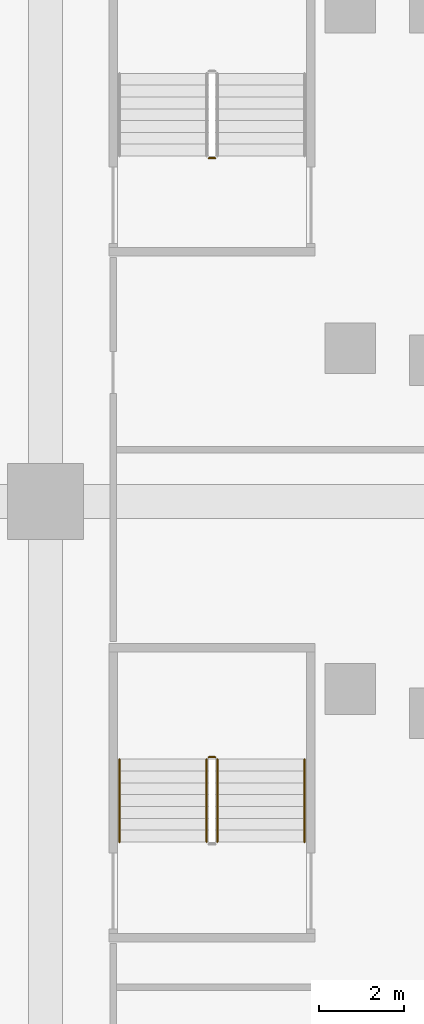
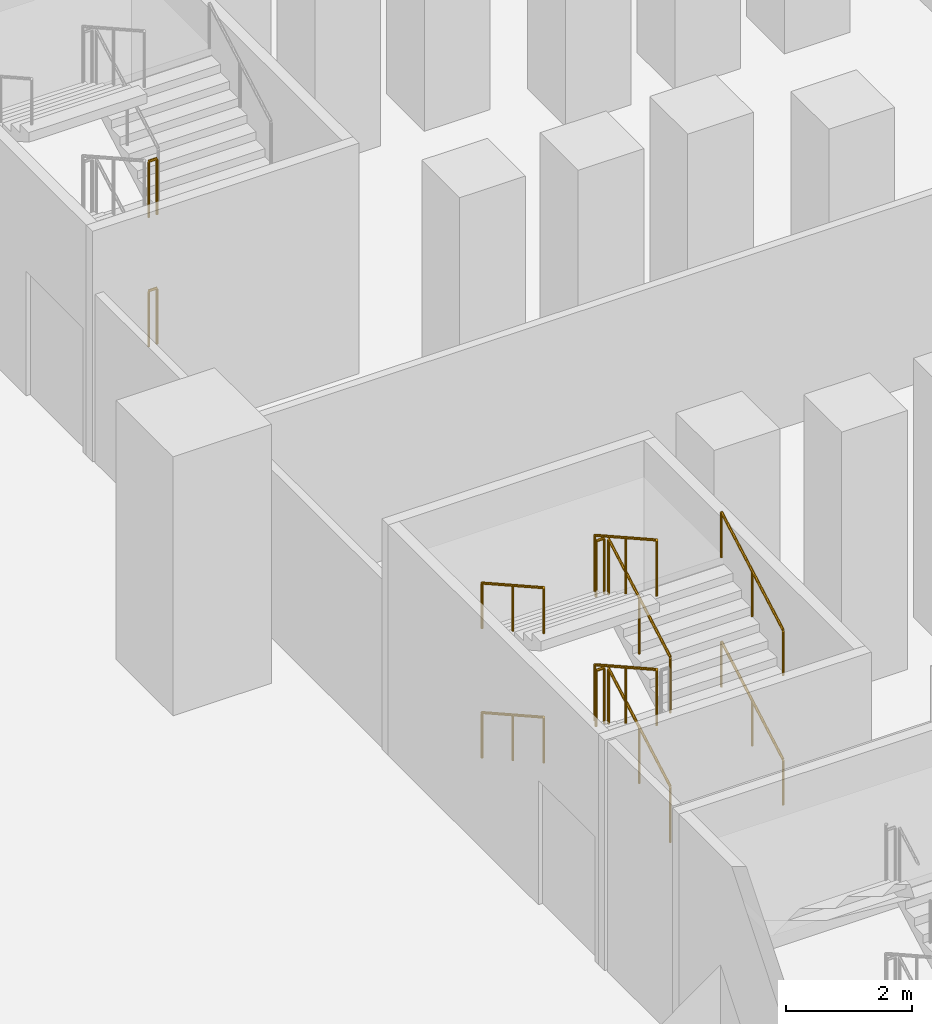
# One storey, part 22 of 24: 12 railings.
"""IFC4 building model written with IfcOpenShell, lengths in metres."""

import ifcopenshell
import ifcopenshell.guid

model = None  # the IFC model being written
_history = None  # IfcOwnerHistory: only IFC2X3 demands one
_inside = {}  # id of a spatial element -> (the spatial element, [elements in it])
_under = {}  # id of a project, library or spatial element -> (it, [spatial elements below it])
_declared = {}  # id of a project -> (the project, [libraries it declares])
_typed = {}  # id of a type object -> (the type object, [elements of that type])
_made_of = {}  # id of a material, layer set ... -> (it, [elements and type objects made of it])


def new_model(schema):
    """Start an empty IFC model of exactly this schema.

    Asked for "IFC4X3", IfcOpenShell would pick the latest addendum, in which some entities
    have other attributes; the version numbers below select the first issue.
    IFC2X3 requires an IfcOwnerHistory on every rooted entity: one is made here for all.
    """
    global model, _history
    if schema == "IFC4X3":
        model = ifcopenshell.file(schema_version=(4, 3, 0, 0))
    else:
        model = ifcopenshell.file(schema=schema)
    _inside.clear()
    _under.clear()
    _declared.clear()
    _typed.clear()
    _made_of.clear()
    _history = None
    if model.schema == "IFC2X3":
        org = make("IfcOrganization", Name="unknown")
        user = make(
            "IfcPersonAndOrganization",
            ThePerson=make("IfcPerson", FamilyName="unknown"),
            TheOrganization=org,
        )
        app = make(
            "IfcApplication",
            ApplicationDeveloper=org,
            Version="unknown",
            ApplicationFullName="unknown",
            ApplicationIdentifier="unknown",
        )
        _history = make(
            "IfcOwnerHistory",
            OwningUser=user,
            OwningApplication=app,
            ChangeAction="ADDED",
            CreationDate=0,
        )
    return model


def make(cls, **values):
    """One entity of the class cls with the attributes given. An attribute that is None is left unset."""
    return model.create_entity(
        cls, **{name: value for name, value in values.items() if value is not None}
    )


def rooted(cls, **values):
    """An entity with a GlobalId (a new one), such as an element, a storey or a relation."""
    return make(cls, GlobalId=ifcopenshell.guid.new(), OwnerHistory=_history, **values)


def si_unit(unit_type, name, prefix=None):
    """IfcSIUnit, for example si_unit("LENGTHUNIT", "METRE", prefix="MILLI")."""
    return make("IfcSIUnit", UnitType=unit_type, Prefix=prefix, Name=name)


def assignment(units):
    """IfcUnitAssignment: the units of a project."""
    return None if units is None else make("IfcUnitAssignment", Units=units)


def point(xyz):
    """IfcCartesianPoint."""
    return None if xyz is None else make("IfcCartesianPoint", Coordinates=xyz)


def direction(xyz):
    """IfcDirection."""
    return None if xyz is None else make("IfcDirection", DirectionRatios=xyz)


def frame(location, z_axis=None, x_axis=None):
    """IfcAxis2Placement3D, a coordinate frame: its origin and axes. An axis left out is left unset."""
    return make(
        "IfcAxis2Placement3D",
        Location=point(location),
        Axis=direction(z_axis),
        RefDirection=direction(x_axis),
    )


def frame_2d(location, x_axis=None):
    """IfcAxis2Placement2D, a coordinate frame in the plane: its origin and x axis."""
    return make(
        "IfcAxis2Placement2D", Location=point(location), RefDirection=direction(x_axis)
    )


def origin():
    """The frame at (0, 0, 0) with its axes left unset."""
    return frame((0.0, 0.0, 0.0))


def origin_2d():
    """The frame at (0, 0) in the plane with its x axis left unset."""
    return frame_2d((0.0, 0.0))


def place(relative_to, where):
    """IfcLocalPlacement: puts the frame where relative to a parent placement (None: the world)."""
    return make(
        "IfcLocalPlacement", PlacementRelTo=relative_to, RelativePlacement=where
    )


def context(
    kind, dimensions, precision=None, world=None, true_north=None, identifier=None
):
    """IfcGeometricRepresentationContext, for example the 3D "Model" context."""
    return make(
        "IfcGeometricRepresentationContext",
        ContextIdentifier=identifier,
        ContextType=kind,
        CoordinateSpaceDimension=dimensions,
        Precision=precision,
        WorldCoordinateSystem=world,
        TrueNorth=true_north,
    )


def subcontext(parent, identifier, kind, view, scale=None):
    """IfcGeometricRepresentationSubContext, for example "Body" below "Model"."""
    return make(
        "IfcGeometricRepresentationSubContext",
        ContextIdentifier=identifier,
        ContextType=kind,
        ParentContext=parent,
        TargetScale=scale,
        TargetView=view,
    )


def project(units=None, contexts=None):
    """IfcProject with its units and contexts."""
    return rooted(
        "IfcProject",
        Name="project",
        RepresentationContexts=contexts,
        UnitsInContext=assignment(units),
    )


def spatial(cls, under=None, at=None, **own):
    """A site, building, storey or space (cls), placed at a placement, below another one or the project."""
    s = rooted(cls, ObjectPlacement=at, **own)
    if under is not None:
        _under.setdefault(under.id(), (under, []))[1].append(s)
    return s


def profile(cls, at=None, kind="AREA", **sizes):
    """A parametric profile (cls). Its sizes go by their IFC names, for example OverallWidth=200.0."""
    return make(cls, ProfileType=kind, Position=at, **sizes)


def circle(**sizes):
    """IfcCircleProfileDef."""
    return profile("IfcCircleProfileDef", **sizes)


def extrude(swept, where, along, depth):
    """IfcExtrudedAreaSolid: the profile swept, set in the frame where, extruded along a direction by depth."""
    return make(
        "IfcExtrudedAreaSolid",
        SweptArea=swept,
        Position=where,
        ExtrudedDirection=direction(along),
        Depth=depth,
    )


def shape(context_of_items, identifier, shape_type, items):
    """IfcShapeRepresentation: the items that make up one representation, for example the "Body"."""
    return make(
        "IfcShapeRepresentation",
        ContextOfItems=context_of_items,
        RepresentationIdentifier=identifier,
        RepresentationType=shape_type,
        Items=items,
    )


def material(Name=None, Category=None):
    """IfcMaterial."""
    return make("IfcMaterial", Name=Name, Category=Category)


def made_of(thing, what):
    """Note that an element or type object is made of a material, layer set ...; save() writes the relation."""
    if what is not None:
        _made_of.setdefault(what.id(), (what, []))[1].append(thing)
    return thing


def type_object(cls, material=None, **own):
    """A type object (cls), such as IfcWallType, which elements share."""
    return made_of(rooted(cls, **own), material)


def element(
    cls,
    number,
    at=None,
    inside=None,
    cuts=None,
    type_object=None,
    material=None,
    context=None,
    identifier="Body",
    shape_type=None,
    held_by="IfcProductDefinitionShape",
    body=None,
    shapes=None,
    **own,
):
    """One element of the class cls, such as IfcWall. Its Tag is "e" and its number.

    at: its placement. inside: the storey or other place that contains it. cuts: it is an
    opening in that element (IfcRelVoidsElement). A single representation is given by context,
    identifier, shape_type and body (its items); several are given by shapes. held_by: the class
    of the entity that holds the representations. save() writes the other relations.
    """
    e = rooted(cls, Tag="e%d" % number, ObjectPlacement=at, **own)
    if body is not None:
        shapes = [shape(context, identifier, shape_type, body)]
    if shapes is not None:
        e.Representation = make(held_by, Representations=shapes)
    if inside is not None:
        _inside.setdefault(inside.id(), (inside, []))[1].append(e)
    if cuts is not None:
        rooted(
            "IfcRelVoidsElement", RelatingBuildingElement=cuts, RelatedOpeningElement=e
        )
    if type_object is not None:
        _typed.setdefault(type_object.id(), (type_object, []))[1].append(e)
    return made_of(e, material)


def aggregate(whole, parts):
    """IfcRelAggregates: a whole, such as a stair, and the parts it consists of."""
    return rooted("IfcRelAggregates", RelatingObject=whole, RelatedObjects=parts)


def save(model, path):
    """Write the relations noted so far, then the file.

    IfcRelAggregates (storeys below a building ...), IfcRelContainedInSpatialStructure (elements
    in a storey), IfcRelDefinesByType, IfcRelAssociatesMaterial and IfcRelDeclares: one each for
    every whole, place, type object, material and project.
    """
    for whole, parts in _under.values():
        aggregate(whole, parts)
    for where, things in _inside.values():
        rooted(
            "IfcRelContainedInSpatialStructure",
            RelatedElements=things,
            RelatingStructure=where,
        )
    for kind, things in _typed.values():
        rooted("IfcRelDefinesByType", RelatedObjects=things, RelatingType=kind)
    for what, things in _made_of.values():
        rooted("IfcRelAssociatesMaterial", RelatedObjects=things, RelatingMaterial=what)
    for by, libraries in _declared.values():
        rooted("IfcRelDeclares", RelatingContext=by, RelatedDefinitions=libraries)
    model.write(path)


model = new_model("IFC4")

# Units and contexts
model_context = context("Model", 3, precision=1e-05, world=origin(), true_north=direction((0.0, 1.0)))
body_context = subcontext(model_context, "Body", "Model", "MODEL_VIEW")
ifc_project = project(units=[si_unit("LENGTHUNIT", "METRE"), si_unit("AREAUNIT", "SQUARE_METRE"), si_unit("VOLUMEUNIT", "CUBIC_METRE"), si_unit("PLANEANGLEUNIT", "RADIAN"), si_unit("MASSUNIT", "GRAM", prefix="KILO")], contexts=[model_context])

# Site, building, storey
site_placement = place(None, origin())
site = spatial("IfcSite", under=ifc_project, at=site_placement, CompositionType="ELEMENT")
building_placement = place(site_placement, origin())
building = spatial("IfcBuilding", under=site, at=building_placement, Name="Calabash Gate Tower", CompositionType="ELEMENT")
storey_placement = place(building_placement, frame((0.0, 0.0, -5.0)))
storey = spatial("IfcBuildingStorey", under=building, at=storey_placement, Name="B1", CompositionType="ELEMENT", Elevation=-5.0)

# Railings
ifc_material_1 = material(Name="Black powder-coated steel balusters", Category="steel")
railing_type_1 = type_object("IfcRailingType", Name="Stair guard RL1100", PredefinedType="GUARDRAIL", material=ifc_material_1)
railing_1_placement = place(storey_placement, frame((36.06005859375, -0.0400390625, 0.15625)))
element("IfcRailing", 1, at=railing_1_placement, inside=storey, type_object=railing_type_1, Name="B1 PS9 stair guard 1", PredefinedType="GUARDRAIL", context=body_context, shape_type="SweptSolid", body=[
    extrude(circle(Radius=0.02392578125, at=origin_2d()), frame((0.0, 0.0, 1.076171875), z_axis=(0.0, 0.87250601595, 0.488603368932), x_axis=(-1.0, 0.0, 0.0)), (0.0, 0.0, 1.0), 2.238525390625),
    extrude(circle(Radius=0.02099609375, at=origin_2d()), origin(), (0.0, 0.0, 1.0), 1.052001953125),
    extrude(circle(Radius=0.02099609375, at=origin_2d()), frame((0.0, 0.9765625, 0.546875)), (0.0, 0.0, 1.0), 1.052001953125),
    extrude(circle(Radius=0.02099609375, at=origin_2d()), frame((0.0, 1.953125, 1.09375)), (0.0, 0.0, 1.0), 1.052001953125),
])
railing_2_placement = place(storey_placement, frame((36.010009765625, 1.962890625, 1.25)))
element("IfcRailing", 2, at=railing_2_placement, inside=storey, type_object=railing_type_1, Name="B1 PS9 stair guard 2", PredefinedType="GUARDRAIL", context=body_context, shape_type="SweptSolid", body=[
    extrude(circle(Radius=0.02392578125, at=origin_2d()), frame((0.0, 0.0, 1.076171875), z_axis=(-1.0, 0.0, 0.0), x_axis=(0.0, -1.0, 0.0)), (0.0, 0.0, 1.0), 0.14990234375),
    extrude(circle(Radius=0.02099609375, at=origin_2d()), origin(), (0.0, 0.0, 1.0), 1.052001953125),
    extrude(circle(Radius=0.02099609375, at=origin_2d()), frame((-0.14990234375, 0.0, 0.0)), (0.0, 0.0, 1.0), 1.052001953125),
])
railing_3_placement = place(storey_placement, frame((35.81005859375, 1.9130859375, 1.40625)))
element("IfcRailing", 3, at=railing_3_placement, inside=storey, type_object=railing_type_1, Name="B1 PS9 stair guard 3", PredefinedType="GUARDRAIL", context=body_context, shape_type="SweptSolid", body=[
    extrude(circle(Radius=0.02392578125, at=origin_2d()), frame((0.0, 0.0, 1.076171875), z_axis=(0.0, -0.87250601595, 0.488603368932), x_axis=(1.0, 0.0, 0.0)), (0.0, 0.0, 1.0), 2.238525390625),
    extrude(circle(Radius=0.02099609375, at=origin_2d()), origin(), (0.0, 0.0, 1.0), 1.052001953125),
    extrude(circle(Radius=0.02099609375, at=origin_2d()), frame((0.0, -0.9765625, 0.546875)), (0.0, 0.0, 1.0), 1.052001953125),
    extrude(circle(Radius=0.02099609375, at=origin_2d()), frame((0.0, -1.953125, 1.09375)), (0.0, 0.0, 1.0), 1.052001953125),
])
railing_4_placement = place(storey_placement, frame((36.06005859375, -0.0400390625, 2.65625)))
element("IfcRailing", 4, at=railing_4_placement, inside=storey, type_object=railing_type_1, Name="B1 PS9 stair guard 5", PredefinedType="GUARDRAIL", context=body_context, shape_type="SweptSolid", body=[
    extrude(circle(Radius=0.02392578125, at=origin_2d()), frame((0.0, 0.0, 1.076171875), z_axis=(0.0, 0.87250601595, 0.488603368932), x_axis=(-1.0, 0.0, 0.0)), (0.0, 0.0, 1.0), 2.238525390625),
    extrude(circle(Radius=0.02099609375, at=origin_2d()), origin(), (0.0, 0.0, 1.0), 1.052001953125),
    extrude(circle(Radius=0.02099609375, at=origin_2d()), frame((0.0, 0.9765625, 0.546875)), (0.0, 0.0, 1.0), 1.052001953125),
    extrude(circle(Radius=0.02099609375, at=origin_2d()), frame((0.0, 1.953125, 1.09375)), (0.0, 0.0, 1.0), 1.052001953125),
])
railing_5_placement = place(storey_placement, frame((36.010009765625, 1.962890625, 3.75)))
element("IfcRailing", 5, at=railing_5_placement, inside=storey, type_object=railing_type_1, Name="B1 PS9 stair guard 6", PredefinedType="GUARDRAIL", context=body_context, shape_type="SweptSolid", body=[
    extrude(circle(Radius=0.02392578125, at=origin_2d()), frame((0.0, 0.0, 1.076171875), z_axis=(-1.0, 0.0, 0.0), x_axis=(0.0, -1.0, 0.0)), (0.0, 0.0, 1.0), 0.14990234375),
    extrude(circle(Radius=0.02099609375, at=origin_2d()), origin(), (0.0, 0.0, 1.0), 1.052001953125),
    extrude(circle(Radius=0.02099609375, at=origin_2d()), frame((-0.14990234375, 0.0, 0.0)), (0.0, 0.0, 1.0), 1.052001953125),
])
railing_6_placement = place(storey_placement, frame((35.81005859375, 1.9130859375, 3.90625)))
element("IfcRailing", 6, at=railing_6_placement, inside=storey, type_object=railing_type_1, Name="B1 PS9 stair guard 7", PredefinedType="GUARDRAIL", context=body_context, shape_type="SweptSolid", body=[
    extrude(circle(Radius=0.02392578125, at=origin_2d()), frame((0.0, 0.0, 1.076171875), z_axis=(0.0, -0.87250601595, 0.488603368932), x_axis=(1.0, 0.0, 0.0)), (0.0, 0.0, 1.0), 2.238525390625),
    extrude(circle(Radius=0.02099609375, at=origin_2d()), origin(), (0.0, 0.0, 1.0), 1.052001953125),
    extrude(circle(Radius=0.02099609375, at=origin_2d()), frame((0.0, -0.9765625, 0.546875)), (0.0, 0.0, 1.0), 1.052001953125),
    extrude(circle(Radius=0.02099609375, at=origin_2d()), frame((0.0, -1.953125, 1.09375)), (0.0, 0.0, 1.0), 1.052001953125),
])
for number, where, name in (
    (7, (36.010009765625, 16.110107421875, 2.5), "B1 PS10 stair guard 4"),
    (8, (36.010009765625, 16.110107421875, 0.0), "B1 PS10 stair guard 8"),
):
    element("IfcRailing", number, at=place(storey_placement, frame(where)), inside=storey, type_object=railing_type_1, Name=name, PredefinedType="GUARDRAIL", context=body_context, shape_type="SweptSolid", body=[
        extrude(circle(Radius=0.02392578125, at=origin_2d()), frame((0.0, 0.0, 1.076171875), z_axis=(-1.0, 0.0, 0.0), x_axis=(0.0, -1.0, 0.0)), (0.0, 0.0, 1.0), 0.14990234375),
        extrude(circle(Radius=0.02099609375, at=origin_2d()), origin(), (0.0, 0.0, 1.0), 1.052001953125),
        extrude(circle(Radius=0.02099609375, at=origin_2d()), frame((-0.14990234375, 0.0, 0.0)), (0.0, 0.0, 1.0), 1.052001953125),
    ])
ifc_material_2 = material(Name="Black powder-coated steel tube 48 mm", Category="steel")
railing_type_2 = type_object("IfcRailingType", Name="Stair handrail RL900", PredefinedType="HANDRAIL", material=ifc_material_2)
railing_7_placement = place(storey_placement, frame((38.1201171875, -0.0400390625, 0.15625)))
element("IfcRailing", 9, at=railing_7_placement, inside=storey, type_object=railing_type_2, Name="B1 PS9 stair handrail 1", PredefinedType="HANDRAIL", context=body_context, shape_type="SweptSolid", body=[
    extrude(circle(Radius=0.02392578125, at=origin_2d()), frame((0.0, 0.0, 0.8759765625), z_axis=(0.0, 0.87250601595, 0.488603368932), x_axis=(-1.0, 0.0, 0.0)), (0.0, 0.0, 1.0), 2.238525390625),
    extrude(circle(Radius=0.02099609375, at=origin_2d()), origin(), (0.0, 0.0, 1.0), 0.851806640625),
    extrude(circle(Radius=0.02099609375, at=origin_2d()), frame((0.0, 0.9765625, 0.546875)), (0.0, 0.0, 1.0), 0.851806640625),
    extrude(circle(Radius=0.02099609375, at=origin_2d()), frame((0.0, 1.953125, 1.09375)), (0.0, 0.0, 1.0), 0.851806640625),
])
railing_8_placement = place(storey_placement, frame((33.75, 1.9130859375, 1.40625)))
element("IfcRailing", 10, at=railing_8_placement, inside=storey, type_object=railing_type_2, Name="B1 PS9 stair handrail 2", PredefinedType="HANDRAIL", context=body_context, shape_type="SweptSolid", body=[
    extrude(circle(Radius=0.02392578125, at=origin_2d()), frame((0.0, 0.0, 0.8759765625), z_axis=(0.0, -0.87250601595, 0.488603368932), x_axis=(1.0, 0.0, 0.0)), (0.0, 0.0, 1.0), 2.238525390625),
    extrude(circle(Radius=0.02099609375, at=origin_2d()), origin(), (0.0, 0.0, 1.0), 0.851806640625),
    extrude(circle(Radius=0.02099609375, at=origin_2d()), frame((0.0, -0.9765625, 0.546875)), (0.0, 0.0, 1.0), 0.851806640625),
    extrude(circle(Radius=0.02099609375, at=origin_2d()), frame((0.0, -1.953125, 1.09375)), (0.0, 0.0, 1.0), 0.851806640625),
])
railing_9_placement = place(storey_placement, frame((38.1201171875, -0.0400390625, 2.65625)))
element("IfcRailing", 11, at=railing_9_placement, inside=storey, type_object=railing_type_2, Name="B1 PS9 stair handrail 3", PredefinedType="HANDRAIL", context=body_context, shape_type="SweptSolid", body=[
    extrude(circle(Radius=0.02392578125, at=origin_2d()), frame((0.0, 0.0, 0.8759765625), z_axis=(0.0, 0.87250601595, 0.488603368932), x_axis=(-1.0, 0.0, 0.0)), (0.0, 0.0, 1.0), 2.238525390625),
    extrude(circle(Radius=0.02099609375, at=origin_2d()), origin(), (0.0, 0.0, 1.0), 0.851806640625),
    extrude(circle(Radius=0.02099609375, at=origin_2d()), frame((0.0, 0.9765625, 0.546875)), (0.0, 0.0, 1.0), 0.851806640625),
    extrude(circle(Radius=0.02099609375, at=origin_2d()), frame((0.0, 1.953125, 1.09375)), (0.0, 0.0, 1.0), 0.851806640625),
])
railing_10_placement = place(storey_placement, frame((33.75, 1.9130859375, 3.90625)))
element("IfcRailing", 12, at=railing_10_placement, inside=storey, type_object=railing_type_2, Name="B1 PS9 stair handrail 4", PredefinedType="HANDRAIL", context=body_context, shape_type="SweptSolid", body=[
    extrude(circle(Radius=0.02392578125, at=origin_2d()), frame((0.0, 0.0, 0.8759765625), z_axis=(0.0, -0.87250601595, 0.488603368932), x_axis=(1.0, 0.0, 0.0)), (0.0, 0.0, 1.0), 2.238525390625),
    extrude(circle(Radius=0.02099609375, at=origin_2d()), origin(), (0.0, 0.0, 1.0), 0.851806640625),
    extrude(circle(Radius=0.02099609375, at=origin_2d()), frame((0.0, -0.9765625, 0.546875)), (0.0, 0.0, 1.0), 0.851806640625),
    extrude(circle(Radius=0.02099609375, at=origin_2d()), frame((0.0, -1.953125, 1.09375)), (0.0, 0.0, 1.0), 0.851806640625),
])

save(model, "model.ifc")
